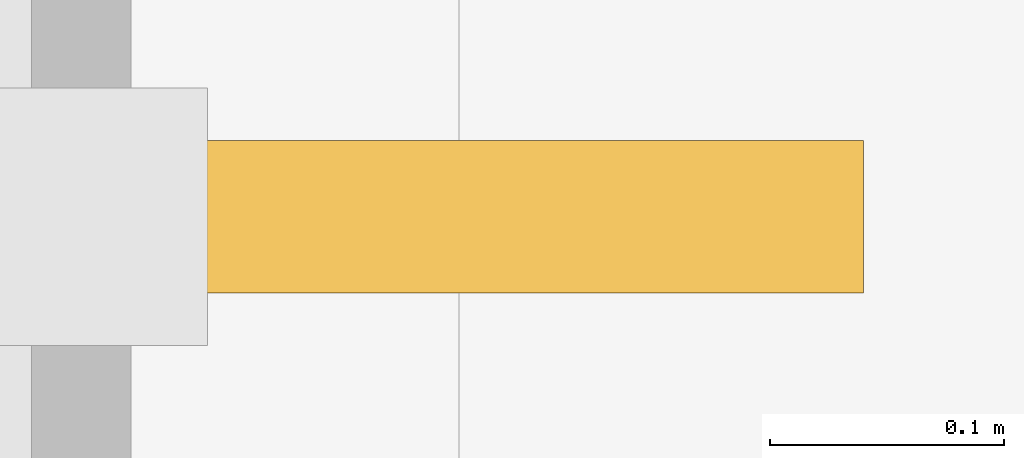
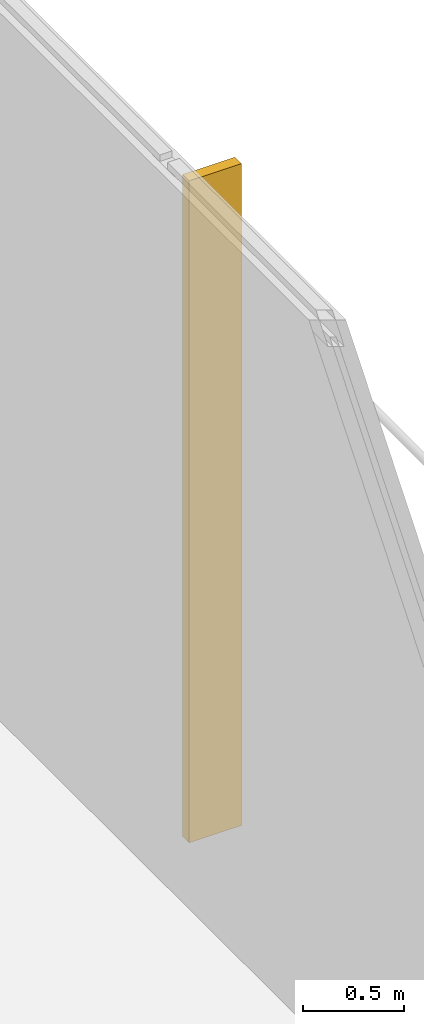
# One storey, part 26 of 26: 1 shading device.
"""IFC4 building model written with IfcOpenShell, lengths in metres."""

from ifc_helpers import new_model, si_unit, direction, frame, origin, place, context, subcontext, project, spatial, polyline, outline, extrude, material, layer, layer_set, type_object, element, save


model = new_model("IFC4")

# Units and contexts
model_context = context("Model", 3, precision=1e-05, world=origin(), true_north=direction((0.0, 1.0)))
body_context = subcontext(model_context, "Body", "Model", "MODEL_VIEW")
ifc_project = project(units=[si_unit("LENGTHUNIT", "METRE"), si_unit("AREAUNIT", "SQUARE_METRE"), si_unit("VOLUMEUNIT", "CUBIC_METRE"), si_unit("PLANEANGLEUNIT", "RADIAN"), si_unit("MASSUNIT", "GRAM", prefix="KILO")], contexts=[model_context])

# Site, building, storey
site_placement = place(None, origin())
site = spatial("IfcSite", under=ifc_project, at=site_placement, CompositionType="ELEMENT")
building_placement = place(site_placement, origin())
building = spatial("IfcBuilding", under=site, at=building_placement, Name="Qalmaran Belvedere Hotel", CompositionType="ELEMENT")
storey_placement = place(building_placement, frame((0.0, 0.0, 19.199951171875)))
storey = spatial("IfcBuildingStorey", under=building, at=storey_placement, Name="L04", CompositionType="ELEMENT", Elevation=19.199951171875)

# Shading device
ifc_material = material(Name="Anodised Bronze Aluminium", Category="aluminium")
ifc_layer = layer(ifc_material, 0.06494140625, Name="Anodised Bronze Aluminium")
ifc_layer_set = layer_set([ifc_layer], Name="Anodised Bronze Aluminium")
shading_device_type = type_object("IfcShadingDeviceType", Name="FIN-BRNZ-300", PredefinedType="USERDEFINED", material=ifc_layer_set)
shading_device_placement = place(storey_placement, frame((0.0, 0.0, 0.16015625)))
element("IfcShadingDevice", 1, at=shading_device_placement, inside=storey, type_object=shading_device_type, Name="L04 Bronze Fin 3", ObjectType="FIN", PredefinedType="USERDEFINED", context=body_context, shape_type="SweptSolid", body=[
    extrude(outline(polyline([(67.87255859375, 30.16357421875), (68.172607421875, 30.16357421875), (68.172607421875, 30.228515625), (67.87255859375, 30.228515625), (67.87255859375, 30.16357421875)])), origin(), (0.0, 0.0, 1.0), 4.019775390625),
])

save(model, "model.ifc")
